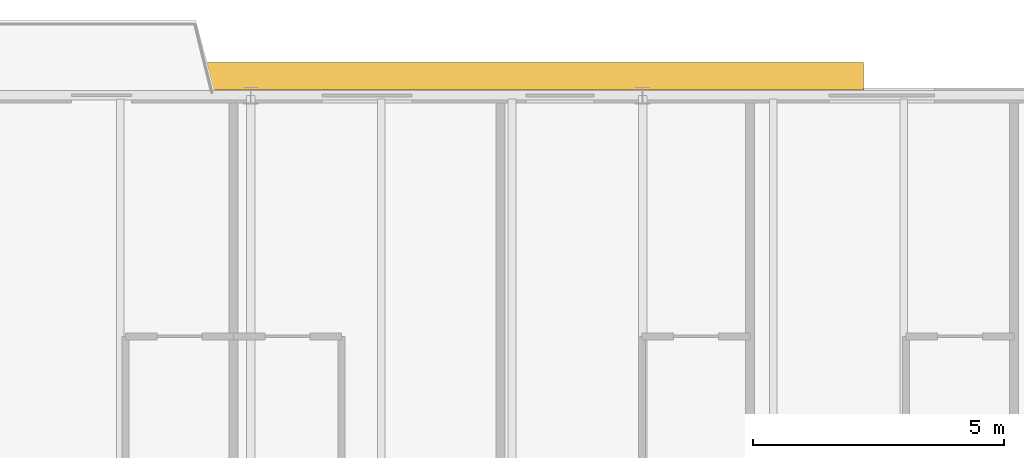
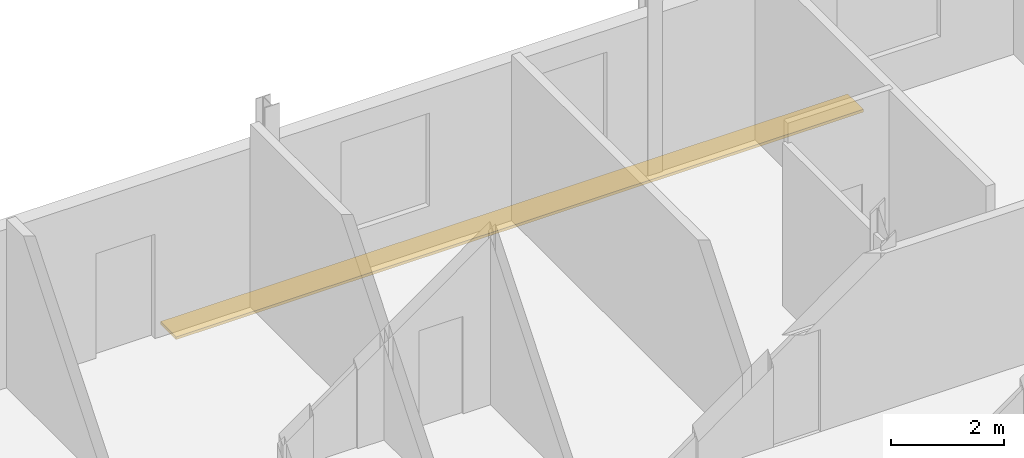
# One storey, part 22 of 22: 1 shading device.
"""IFC4 building model written with IfcOpenShell, lengths in metres."""

from ifc_helpers import new_model, si_unit, direction, frame, origin, origin_2d, place, context, subcontext, project, spatial, rectangle, extrude, material, layer, layer_set, type_object, element, save


model = new_model("IFC4")

# Units and contexts
model_context = context("Model", 3, precision=1e-05, world=origin(), true_north=direction((0.0, 1.0)))
body_context = subcontext(model_context, "Body", "Model", "MODEL_VIEW")
ifc_project = project(units=[si_unit("LENGTHUNIT", "METRE"), si_unit("AREAUNIT", "SQUARE_METRE"), si_unit("VOLUMEUNIT", "CUBIC_METRE"), si_unit("PLANEANGLEUNIT", "RADIAN"), si_unit("MASSUNIT", "GRAM", prefix="KILO")], contexts=[model_context])

# Site, building, storey
site_placement = place(None, origin())
site = spatial("IfcSite", under=ifc_project, at=site_placement, CompositionType="ELEMENT")
building_placement = place(site_placement, origin())
building = spatial("IfcBuilding", under=site, at=building_placement, Name="Sefraquen Railside Congress Hotel", CompositionType="ELEMENT")
storey_placement = place(building_placement, frame((0.0, 0.0, 42.60009765625)))
storey = spatial("IfcBuildingStorey", under=building, at=storey_placement, Name="L10", CompositionType="ELEMENT", Elevation=42.60009765625)

# Shading device
ifc_material = material(Name="Patinated architectural bronze", Category="metal")
ifc_layer = layer(ifc_material, 0.06005859375)
ifc_layer_set = layer_set([ifc_layer], Name="Patinated architectural bronze")
shading_device_type = type_object("IfcShadingDeviceType", Name="TSH-BS-01", PredefinedType="USERDEFINED", material=ifc_layer_set)
shading_device_placement = place(storey_placement, frame((85.0, 118.3798828125, -0.380126953125), z_axis=(0.0, 0.0, 1.0), x_axis=(1.0, 0.0, 0.0)))
element("IfcShadingDevice", 1, at=shading_device_placement, inside=storey, type_object=shading_device_type, Name="Hotel North Boulevard window sunshade L10-3", ObjectType="BRISE SOLEIL", PredefinedType="USERDEFINED", context=body_context, shape_type="SweptSolid", body=[
    extrude(rectangle(XDim=14.0, YDim=0.550048828125, at=origin_2d()), origin(), (0.0, 0.0, 1.0), 0.06005859375),
])

save(model, "model.ifc")
